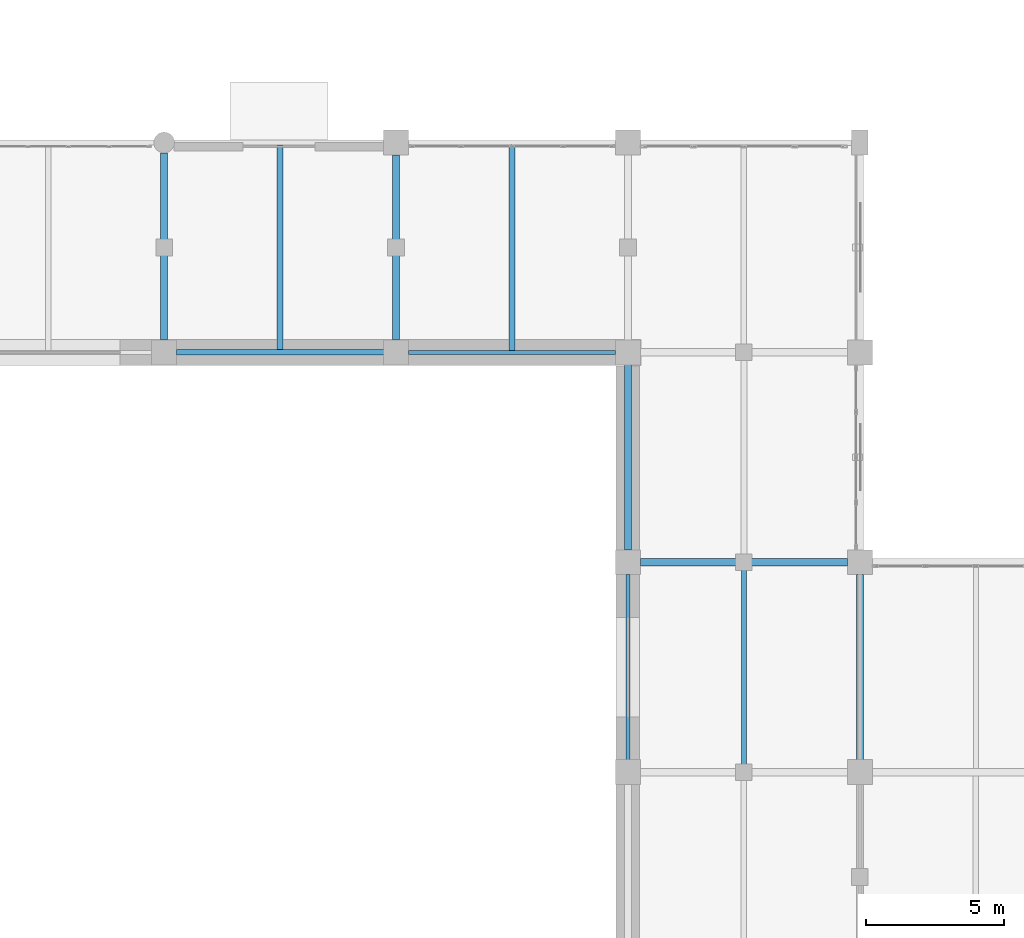
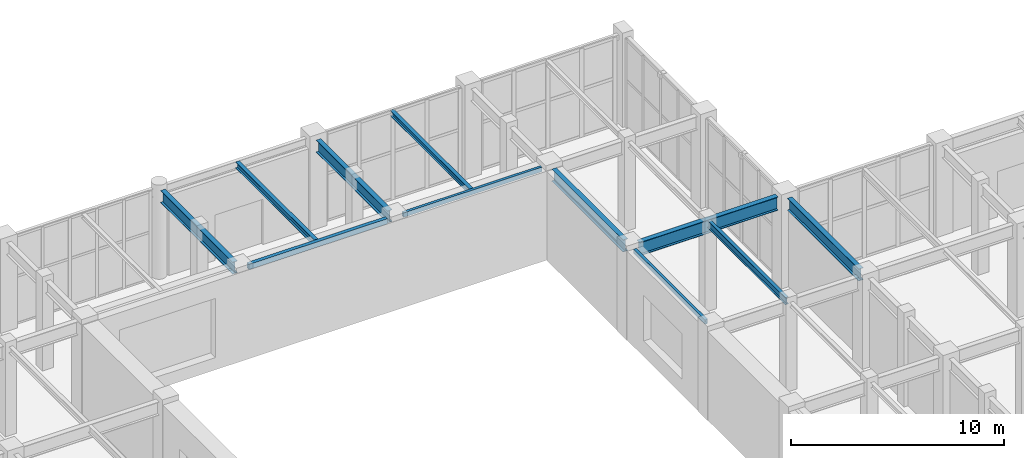
# One storey, part 65 of 139: 11 beams.
"""IFC4 building model written with IfcOpenShell, lengths in metres."""

import ifcopenshell
import ifcopenshell.guid

model = None  # the IFC model being written
_history = None  # IfcOwnerHistory: only IFC2X3 demands one
_inside = {}  # id of a spatial element -> (the spatial element, [elements in it])
_under = {}  # id of a project, library or spatial element -> (it, [spatial elements below it])
_declared = {}  # id of a project -> (the project, [libraries it declares])
_typed = {}  # id of a type object -> (the type object, [elements of that type])
_made_of = {}  # id of a material, layer set ... -> (it, [elements and type objects made of it])


def new_model(schema):
    """Start an empty IFC model of exactly this schema.

    Asked for "IFC4X3", IfcOpenShell would pick the latest addendum, in which some entities
    have other attributes; the version numbers below select the first issue.
    IFC2X3 requires an IfcOwnerHistory on every rooted entity: one is made here for all.
    """
    global model, _history
    if schema == "IFC4X3":
        model = ifcopenshell.file(schema_version=(4, 3, 0, 0))
    else:
        model = ifcopenshell.file(schema=schema)
    _inside.clear()
    _under.clear()
    _declared.clear()
    _typed.clear()
    _made_of.clear()
    _history = None
    if model.schema == "IFC2X3":
        org = make("IfcOrganization", Name="unknown")
        user = make(
            "IfcPersonAndOrganization",
            ThePerson=make("IfcPerson", FamilyName="unknown"),
            TheOrganization=org,
        )
        app = make(
            "IfcApplication",
            ApplicationDeveloper=org,
            Version="unknown",
            ApplicationFullName="unknown",
            ApplicationIdentifier="unknown",
        )
        _history = make(
            "IfcOwnerHistory",
            OwningUser=user,
            OwningApplication=app,
            ChangeAction="ADDED",
            CreationDate=0,
        )
    return model


def make(cls, **values):
    """One entity of the class cls with the attributes given. An attribute that is None is left unset."""
    return model.create_entity(
        cls, **{name: value for name, value in values.items() if value is not None}
    )


def rooted(cls, **values):
    """An entity with a GlobalId (a new one), such as an element, a storey or a relation."""
    return make(cls, GlobalId=ifcopenshell.guid.new(), OwnerHistory=_history, **values)


def si_unit(unit_type, name, prefix=None):
    """IfcSIUnit, for example si_unit("LENGTHUNIT", "METRE", prefix="MILLI")."""
    return make("IfcSIUnit", UnitType=unit_type, Prefix=prefix, Name=name)


def assignment(units):
    """IfcUnitAssignment: the units of a project."""
    return None if units is None else make("IfcUnitAssignment", Units=units)


def point(xyz):
    """IfcCartesianPoint."""
    return None if xyz is None else make("IfcCartesianPoint", Coordinates=xyz)


def direction(xyz):
    """IfcDirection."""
    return None if xyz is None else make("IfcDirection", DirectionRatios=xyz)


def frame(location, z_axis=None, x_axis=None):
    """IfcAxis2Placement3D, a coordinate frame: its origin and axes. An axis left out is left unset."""
    return make(
        "IfcAxis2Placement3D",
        Location=point(location),
        Axis=direction(z_axis),
        RefDirection=direction(x_axis),
    )


def frame_2d(location, x_axis=None):
    """IfcAxis2Placement2D, a coordinate frame in the plane: its origin and x axis."""
    return make(
        "IfcAxis2Placement2D", Location=point(location), RefDirection=direction(x_axis)
    )


def origin():
    """The frame at (0, 0, 0) with its axes left unset."""
    return frame((0.0, 0.0, 0.0))


def origin_2d():
    """The frame at (0, 0) in the plane with its x axis left unset."""
    return frame_2d((0.0, 0.0))


def place(relative_to, where):
    """IfcLocalPlacement: puts the frame where relative to a parent placement (None: the world)."""
    return make(
        "IfcLocalPlacement", PlacementRelTo=relative_to, RelativePlacement=where
    )


def context(
    kind, dimensions, precision=None, world=None, true_north=None, identifier=None
):
    """IfcGeometricRepresentationContext, for example the 3D "Model" context."""
    return make(
        "IfcGeometricRepresentationContext",
        ContextIdentifier=identifier,
        ContextType=kind,
        CoordinateSpaceDimension=dimensions,
        Precision=precision,
        WorldCoordinateSystem=world,
        TrueNorth=true_north,
    )


def subcontext(parent, identifier, kind, view, scale=None):
    """IfcGeometricRepresentationSubContext, for example "Body" below "Model"."""
    return make(
        "IfcGeometricRepresentationSubContext",
        ContextIdentifier=identifier,
        ContextType=kind,
        ParentContext=parent,
        TargetScale=scale,
        TargetView=view,
    )


def project(units=None, contexts=None):
    """IfcProject with its units and contexts."""
    return rooted(
        "IfcProject",
        Name="project",
        RepresentationContexts=contexts,
        UnitsInContext=assignment(units),
    )


def spatial(cls, under=None, at=None, **own):
    """A site, building, storey or space (cls), placed at a placement, below another one or the project."""
    s = rooted(cls, ObjectPlacement=at, **own)
    if under is not None:
        _under.setdefault(under.id(), (under, []))[1].append(s)
    return s


def profile(cls, at=None, kind="AREA", **sizes):
    """A parametric profile (cls). Its sizes go by their IFC names, for example OverallWidth=200.0."""
    return make(cls, ProfileType=kind, Position=at, **sizes)


def hollow_rectangle(**sizes):
    """IfcRectangleHollowProfileDef."""
    return profile("IfcRectangleHollowProfileDef", **sizes)


def i_section(**sizes):
    """IfcIShapeProfileDef."""
    return profile("IfcIShapeProfileDef", **sizes)


def extrude(swept, where, along, depth):
    """IfcExtrudedAreaSolid: the profile swept, set in the frame where, extruded along a direction by depth."""
    return make(
        "IfcExtrudedAreaSolid",
        SweptArea=swept,
        Position=where,
        ExtrudedDirection=direction(along),
        Depth=depth,
    )


def shape(context_of_items, identifier, shape_type, items):
    """IfcShapeRepresentation: the items that make up one representation, for example the "Body"."""
    return make(
        "IfcShapeRepresentation",
        ContextOfItems=context_of_items,
        RepresentationIdentifier=identifier,
        RepresentationType=shape_type,
        Items=items,
    )


def material(Name=None, Category=None):
    """IfcMaterial."""
    return make("IfcMaterial", Name=Name, Category=Category)


def material_profile(
    of_material, cross_section, Name=None, Category=None, Priority=None
):
    """IfcMaterialProfile: a cross section and its material."""
    return make(
        "IfcMaterialProfile",
        Name=Name,
        Material=of_material,
        Profile=cross_section,
        Priority=Priority,
        Category=Category,
    )


def profile_set(profiles, Name=None, composite=None):
    """IfcMaterialProfileSet."""
    return make(
        "IfcMaterialProfileSet",
        Name=Name,
        MaterialProfiles=profiles,
        CompositeProfile=composite,
    )


def made_of(thing, what):
    """Note that an element or type object is made of a material, layer set ...; save() writes the relation."""
    if what is not None:
        _made_of.setdefault(what.id(), (what, []))[1].append(thing)
    return thing


def type_object(cls, material=None, **own):
    """A type object (cls), such as IfcWallType, which elements share."""
    return made_of(rooted(cls, **own), material)


def element(
    cls,
    number,
    at=None,
    inside=None,
    cuts=None,
    type_object=None,
    material=None,
    context=None,
    identifier="Body",
    shape_type=None,
    held_by="IfcProductDefinitionShape",
    body=None,
    shapes=None,
    **own,
):
    """One element of the class cls, such as IfcWall. Its Tag is "e" and its number.

    at: its placement. inside: the storey or other place that contains it. cuts: it is an
    opening in that element (IfcRelVoidsElement). A single representation is given by context,
    identifier, shape_type and body (its items); several are given by shapes. held_by: the class
    of the entity that holds the representations. save() writes the other relations.
    """
    e = rooted(cls, Tag="e%d" % number, ObjectPlacement=at, **own)
    if body is not None:
        shapes = [shape(context, identifier, shape_type, body)]
    if shapes is not None:
        e.Representation = make(held_by, Representations=shapes)
    if inside is not None:
        _inside.setdefault(inside.id(), (inside, []))[1].append(e)
    if cuts is not None:
        rooted(
            "IfcRelVoidsElement", RelatingBuildingElement=cuts, RelatedOpeningElement=e
        )
    if type_object is not None:
        _typed.setdefault(type_object.id(), (type_object, []))[1].append(e)
    return made_of(e, material)


def aggregate(whole, parts):
    """IfcRelAggregates: a whole, such as a stair, and the parts it consists of."""
    return rooted("IfcRelAggregates", RelatingObject=whole, RelatedObjects=parts)


def save(model, path):
    """Write the relations noted so far, then the file.

    IfcRelAggregates (storeys below a building ...), IfcRelContainedInSpatialStructure (elements
    in a storey), IfcRelDefinesByType, IfcRelAssociatesMaterial and IfcRelDeclares: one each for
    every whole, place, type object, material and project.
    """
    for whole, parts in _under.values():
        aggregate(whole, parts)
    for where, things in _inside.values():
        rooted(
            "IfcRelContainedInSpatialStructure",
            RelatedElements=things,
            RelatingStructure=where,
        )
    for kind, things in _typed.values():
        rooted("IfcRelDefinesByType", RelatedObjects=things, RelatingType=kind)
    for what, things in _made_of.values():
        rooted("IfcRelAssociatesMaterial", RelatedObjects=things, RelatingMaterial=what)
    for by, libraries in _declared.values():
        rooted("IfcRelDeclares", RelatingContext=by, RelatedDefinitions=libraries)
    model.write(path)


model = new_model("IFC4")

# Units and contexts
model_context = context("Model", 3, precision=1e-05, world=origin(), true_north=direction((0.0, 1.0)))
body_context = subcontext(model_context, "Body", "Model", "MODEL_VIEW")
ifc_project = project(units=[si_unit("LENGTHUNIT", "METRE"), si_unit("AREAUNIT", "SQUARE_METRE"), si_unit("VOLUMEUNIT", "CUBIC_METRE"), si_unit("PLANEANGLEUNIT", "RADIAN"), si_unit("MASSUNIT", "GRAM", prefix="KILO")], contexts=[model_context])

# Site, building, storey
site_placement = place(None, origin())
site = spatial("IfcSite", under=ifc_project, at=site_placement, CompositionType="ELEMENT")
building_placement = place(site_placement, origin())
building = spatial("IfcBuilding", under=site, at=building_placement, Name="Xicomal Pleat Aquarium", CompositionType="ELEMENT")
storey_placement = place(building_placement, origin())
storey = spatial("IfcBuildingStorey", under=building, at=storey_placement, Name="L01", CompositionType="ELEMENT", Elevation=0.0)

# Beams
ifc_material_1 = material(Name="Structural steel A992 Gr 50", Category="steel")
ifc_material_profile_1 = material_profile(ifc_material_1, i_section(OverallWidth=0.202880859375, OverallDepth=0.302978515625, WebThickness=0.007568359375, FlangeThickness=0.01318359375, at=origin_2d()), Name="IR 310x60")
ifc_profile_set_1 = profile_set([ifc_material_profile_1], Name="Structural steel A992 Gr 50")
beam_type_1 = type_object("IfcBeamType", Name="BM-STL-IR310", PredefinedType="JOIST", material=ifc_profile_set_1)
beam_1_placement = place(storey_placement, frame((81.60009765625, 76.077880859375, 4.948486328125), z_axis=(0.0, 1.0, 0.0), x_axis=(-1.0, 0.0, 0.0)))
element("IfcBeam", 1, at=beam_1_placement, inside=storey, type_object=beam_type_1, Name="L01 framing beam FBJ-L01-10-L-1", PredefinedType="JOIST", context=body_context, shape_type="SweptSolid", body=[
    extrude(i_section(OverallWidth=0.202880859375, OverallDepth=0.302978515625, WebThickness=0.007568359375, FlangeThickness=0.01318359375, at=origin_2d()), origin(), (0.0, 0.0, 1.0), 7.444091796875),
])
ifc_material_2 = material(Name="Structural steel A992 Gr 50", Category="steel")
ifc_material_profile_2 = material_profile(ifc_material_2, i_section(OverallWidth=0.205078125, OverallDepth=0.35400390625, WebThickness=0.009521484375, FlangeThickness=0.016845703125, at=origin_2d()), Name="IR 360x79")
ifc_profile_set_2 = profile_set([ifc_material_profile_2], Name="Structural steel A992 Gr 50")
beam_type_2 = type_object("IfcBeamType", Name="BM-STL-IR360", PredefinedType="JOIST", material=ifc_profile_set_2)
beam_2_placement = place(storey_placement, frame((73.199951171875, 76.10302734375, 4.923095703125), z_axis=(0.0, 1.0, 0.0), x_axis=(-1.0, 0.0, 0.0)))
element("IfcBeam", 2, at=beam_2_placement, inside=storey, type_object=beam_type_2, Name="L01 framing beam FBJ-L01-09-L-1", PredefinedType="JOIST", context=body_context, shape_type="SweptSolid", body=[
    extrude(i_section(OverallWidth=0.205078125, OverallDepth=0.35400390625, WebThickness=0.009521484375, FlangeThickness=0.016845703125, at=origin_2d()), origin(), (0.0, 0.0, 1.0), 7.39697265625),
])
ifc_material_3 = material(Name="Structural steel A992 Gr 50", Category="steel")
ifc_material_profile_3 = material_profile(ifc_material_3, i_section(OverallWidth=0.180908203125, OverallDepth=0.4169921875, WebThickness=0.010986328125, FlangeThickness=0.018310546875, at=origin_2d()), Name="IR 410x85")
ifc_profile_set_3 = profile_set([ifc_material_profile_3], Name="Structural steel A992 Gr 50")
beam_type_3 = type_object("IfcBeamType", Name="BM-STL-IR410", PredefinedType="JOIST", material=ifc_profile_set_3)
beam_3_placement = place(storey_placement, frame((90.0, 60.93701171875, 4.8916015625), z_axis=(0.0, 1.0, 0.0), x_axis=(-1.0, 0.0, 0.0)))
element("IfcBeam", 3, at=beam_3_placement, inside=storey, type_object=beam_type_3, Name="L01 framing beam FBJ-L01-11-J-1", PredefinedType="JOIST", context=body_context, shape_type="SweptSolid", body=[
    extrude(i_section(OverallWidth=0.180908203125, OverallDepth=0.4169921875, WebThickness=0.010986328125, FlangeThickness=0.018310546875, at=origin_2d()), origin(), (0.0, 0.0, 1.0), 7.325927734375),
])
ifc_material_4 = material(Name="Structural steel A992 Gr 50", Category="steel")
ifc_material_profile_4 = material_profile(ifc_material_4, i_section(OverallWidth=0.256103515625, OverallDepth=0.693115234375, WebThickness=0.014404296875, FlangeThickness=0.023681640625, at=origin_2d()), Name="IR 690x170")
ifc_profile_set_4 = profile_set([ifc_material_profile_4], Name="Structural steel A992 Gr 50")
beam_type_4 = type_object("IfcBeamType", Name="BM-STL-IR690", PredefinedType="BEAM", material=ifc_profile_set_4)
beam_4_placement = place(storey_placement, frame((69.0, 76.445068359375, 4.75341796875), z_axis=(0.0, 1.0, 0.0), x_axis=(-1.0, 0.0, 0.0)))
element("IfcBeam", 4, at=beam_4_placement, inside=storey, type_object=beam_type_4, Name="L01 framing beam FGY-L01-09-L-M", PredefinedType="BEAM", context=body_context, shape_type="SweptSolid", body=[
    extrude(i_section(OverallWidth=0.256103515625, OverallDepth=0.693115234375, WebThickness=0.014404296875, FlangeThickness=0.023681640625, at=origin_2d()), origin(), (0.0, 0.0, 1.0), 6.784912109375),
])
for number, where, z_axis, x_axis, name in (
    (5, (77.39990234375, 76.445068359375, 4.75341796875), (0.0, 1.0, 0.0), (-1.0, 0.0, 0.0), "L01 framing beam FGY-L01-10-L-M"),
    (6, (85.800048828125, 68.844970703125, 4.75341796875), (0.0, 1.0, 0.0), (-1.0, 0.0, 0.0), "L01 framing beam FGY-L01-11-K-L"),
    (7, (94.199951171875, 61.2451171875, 4.75341796875), (0.0, 1.0, 0.0), (-1.0, 0.0, 0.0), "L01 framing beam FGY-L01-12-J-K"),
):
    element("IfcBeam", number, at=place(storey_placement, frame(where, z_axis=z_axis, x_axis=x_axis)), inside=storey, type_object=beam_type_4, Name=name, PredefinedType="BEAM", context=body_context, shape_type="SweptSolid", body=[
        extrude(i_section(OverallWidth=0.256103515625, OverallDepth=0.693115234375, WebThickness=0.014404296875, FlangeThickness=0.023681640625, at=origin_2d()), origin(), (0.0, 0.0, 1.0), 6.7099609375),
    ])
ifc_material_5 = material(Name="Structural steel A992 Gr 50", Category="steel")
ifc_material_profile_5 = material_profile(ifc_material_5, i_section(OverallWidth=0.26806640625, OverallDepth=0.77001953125, WebThickness=0.015625, FlangeThickness=0.025390625, at=origin_2d()), Name="IR 760x196")
ifc_profile_set_5 = profile_set([ifc_material_profile_5], Name="Structural steel A992 Gr 50")
beam_type_5 = type_object("IfcBeamType", Name="BM-STL-IR760", PredefinedType="BEAM", material=ifc_profile_set_5)
beam_5_placement = place(storey_placement, frame((86.2451171875, 68.39990234375, 4.715087890625), z_axis=(1.0, 0.0, 0.0), x_axis=(0.0, 1.0, 0.0)))
element("IfcBeam", 8, at=beam_5_placement, inside=storey, type_object=beam_type_5, Name="L01 framing beam FGX-L01-11-12-K", PredefinedType="BEAM", context=body_context, shape_type="SweptSolid", body=[
    extrude(i_section(OverallWidth=0.26806640625, OverallDepth=0.77001953125, WebThickness=0.015625, FlangeThickness=0.025390625, at=origin_2d()), origin(), (0.0, 0.0, 1.0), 7.509765625),
])
ifc_material_6 = material(Name="Structural steel A500 Gr C", Category="steel")
ifc_material_profile_6 = material_profile(ifc_material_6, hollow_rectangle(XDim=0.14990234375, YDim=0.25, WallThickness=0.010009765625, at=origin_2d()), Name="OR 250x150x10")
ifc_profile_set_6 = profile_set([ifc_material_profile_6], Name="Structural steel A500 Gr C")
beam_type_6 = type_object("IfcBeamType", Name="BM-STL-OR250", PredefinedType="SPANDREL", material=ifc_profile_set_6)
beam_6_placement = place(storey_placement, frame((77.844970703125, 76.0, 4.97509765625), z_axis=(1.0, 0.0, 0.0), x_axis=(0.0, 1.0, 0.0)))
element("IfcBeam", 9, at=beam_6_placement, inside=storey, type_object=beam_type_6, Name="L01 framing beam FGX-L01-10-11-L", PredefinedType="SPANDREL", context=body_context, shape_type="SweptSolid", body=[
    extrude(hollow_rectangle(XDim=0.14990234375, YDim=0.25, WallThickness=0.010009765625, at=origin_2d()), origin(), (0.0, 0.0, 1.0), 7.510009765625),
])
beam_7_placement = place(storey_placement, frame((85.800048828125, 61.2451171875, 4.97509765625), z_axis=(0.0, 1.0, 0.0), x_axis=(-1.0, 0.0, 0.0)))
element("IfcBeam", 10, at=beam_7_placement, inside=storey, type_object=beam_type_6, Name="L01 framing beam FGY-L01-11-J-K", PredefinedType="SPANDREL", context=body_context, shape_type="SweptSolid", body=[
    extrude(hollow_rectangle(XDim=0.14990234375, YDim=0.25, WallThickness=0.010009765625, at=origin_2d()), origin(), (0.0, 0.0, 1.0), 6.7099609375),
])
ifc_material_7 = material(Name="Structural steel A500 Gr C", Category="steel")
ifc_material_profile_7 = material_profile(ifc_material_7, hollow_rectangle(XDim=0.199951171875, YDim=0.300048828125, WallThickness=0.011962890625, at=origin_2d()), Name="OR 300x200x12")
ifc_profile_set_7 = profile_set([ifc_material_profile_7], Name="Structural steel A500 Gr C")
beam_type_7 = type_object("IfcBeamType", Name="BM-STL-OR300", PredefinedType="SPANDREL", material=ifc_profile_set_7)
beam_8_placement = place(storey_placement, frame((69.445068359375, 76.0, 4.949951171875), z_axis=(1.0, 0.0, 0.0), x_axis=(0.0, 1.0, 0.0)))
element("IfcBeam", 11, at=beam_8_placement, inside=storey, type_object=beam_type_7, Name="L01 framing beam FGX-L01-09-10-L", PredefinedType="SPANDREL", context=body_context, shape_type="SweptSolid", body=[
    extrude(hollow_rectangle(XDim=0.199951171875, YDim=0.300048828125, WallThickness=0.011962890625, at=origin_2d()), origin(), (0.0, 0.0, 1.0), 7.510009765625),
])

save(model, "model.ifc")
